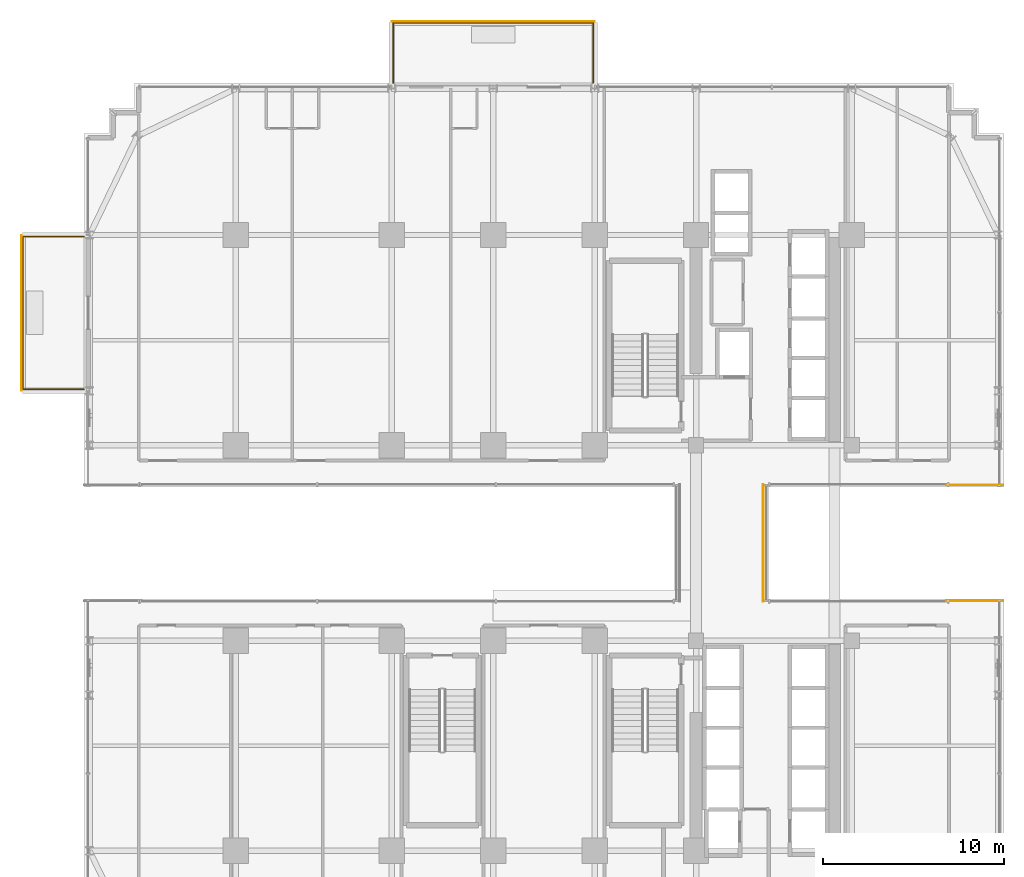
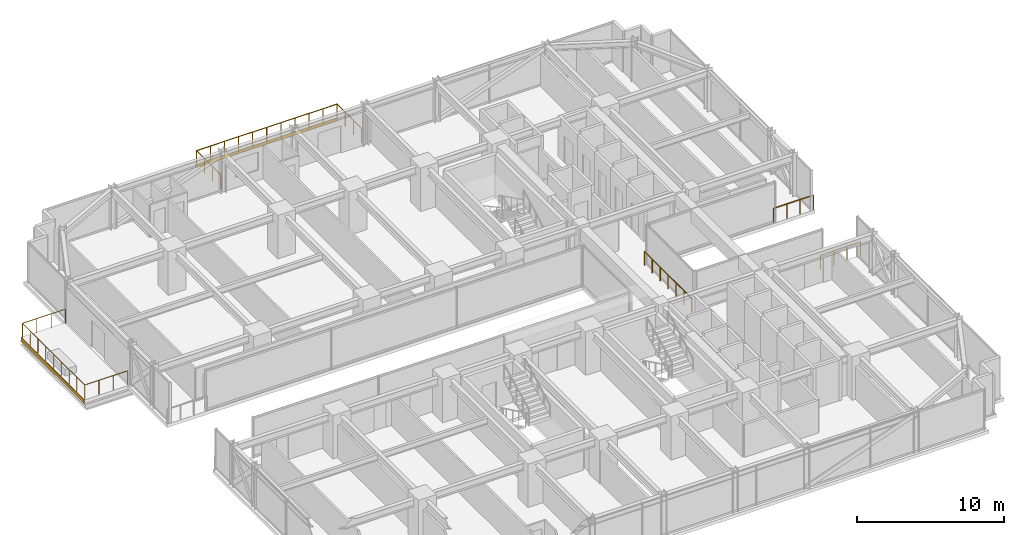
# One storey, part 41 of 43: 5 railings, 2 coverings.
"""IFC4 building model written with IfcOpenShell, lengths in metres."""

from ifc_helpers import new_model, si_unit, direction, frame, origin, origin_2d, place, context, subcontext, project, spatial, rectangle, circle, extrude, source, transform, mapped, material, layer, layer_set, type_object, element, save


model = new_model("IFC4")

# Units and contexts
model_context = context("Model", 3, precision=1e-05, world=origin(), true_north=direction((0.0, 1.0)))
body_context = subcontext(model_context, "Body", "Model", "MODEL_VIEW")
ifc_project = project(units=[si_unit("LENGTHUNIT", "METRE"), si_unit("AREAUNIT", "SQUARE_METRE"), si_unit("VOLUMEUNIT", "CUBIC_METRE"), si_unit("PLANEANGLEUNIT", "RADIAN"), si_unit("MASSUNIT", "GRAM", prefix="KILO")], contexts=[model_context])

# Site, building, storey
site_placement = place(None, origin())
site = spatial("IfcSite", under=ifc_project, at=site_placement, CompositionType="ELEMENT")
building_placement = place(site_placement, origin())
building = spatial("IfcBuilding", under=site, at=building_placement, Name="Nahalor Promenade Grand Hotel", CompositionType="ELEMENT")
storey_placement = place(building_placement, frame((0.0, 0.0, 47.0)))
storey = spatial("IfcBuildingStorey", under=building, at=storey_placement, Name="L10", CompositionType="ELEMENT", Elevation=47.0)

# Railings
ifc_material = material(Name="Anodised Bronze Aluminium EN AW-6063 T6", Category="aluminium")
railing_type_1 = type_object("IfcRailingType", Name="Bronze Balcony Guardrail 1200 mm", PredefinedType="GUARDRAIL", material=ifc_material)
for number, where, name in (
    (1, (22.219970703125, -3.199951171875, 0.0), "L10 Oculus Void Edge Guardrail ES"),
    (2, (22.219970703125, 3.199951171875, 0.0), "L10 Oculus Void Edge Guardrail EN"),
):
    element("IfcRailing", number, at=place(storey_placement, frame(where)), inside=storey, type_object=railing_type_1, Name=name, PredefinedType="GUARDRAIL", context=body_context, shape_type="SweptSolid", body=[
        extrude(circle(Radius=0.024048, at=origin_2d()), frame((0.0, 0.0, 1.17578125), z_axis=(1.0, 0.0, 0.0), x_axis=(0.0, 1.0, 0.0)), (0.0, 0.0, 1.0), 3.1201171875),
        extrude(circle(Radius=0.020996, at=origin_2d()), origin(), (0.0, 0.0, 1.0), 1.14990234375),
        extrude(circle(Radius=0.020996, at=origin_2d()), frame((1.0400390625, 0.0, 0.0)), (0.0, 0.0, 1.0), 1.14990234375),
        extrude(circle(Radius=0.020996, at=origin_2d()), frame((2.080078125, 0.0, 0.0)), (0.0, 0.0, 1.0), 1.14990234375),
        extrude(circle(Radius=0.020996, at=origin_2d()), frame((3.1201171875, 0.0, 0.0)), (0.0, 0.0, 1.0), 1.14990234375),
    ])
railing_1_placement = place(storey_placement, frame((-8.320068359375, 25.39990234375, 0.0)))
element("IfcRailing", 3, at=railing_1_placement, inside=storey, type_object=railing_type_1, Name="L10 Balcony Guardrail 1", PredefinedType="GUARDRAIL", context=body_context, shape_type="SweptSolid", body=[
    extrude(circle(Radius=0.024048, at=origin_2d()), frame((0.0, 0.0, 1.17578125), z_axis=(0.0, 1.0, 0.0), x_axis=(-1.0, 0.0, 0.0)), (0.0, 0.0, 1.0), 3.318115234375),
    extrude(circle(Radius=0.024048, at=origin_2d()), frame((0.001953125, 3.320068359375, 1.17578125), z_axis=(1.0, 0.0, 0.0), x_axis=(0.0, 1.0, 0.0)), (0.0, 0.0, 1.0), 11.0361328125),
    extrude(circle(Radius=0.024048, at=origin_2d()), frame((11.0400390625, 3.318115234375, 1.17578125), z_axis=(0.0, -1.0, 0.0), x_axis=(1.0, 0.0, 0.0)), (0.0, 0.0, 1.0), 3.318115234375),
    extrude(circle(Radius=0.020996, at=origin_2d()), origin(), (0.0, 0.0, 1.0), 1.14990234375),
    extrude(circle(Radius=0.020996, at=origin_2d()), frame((0.0, 1.106689453125, 0.0)), (0.0, 0.0, 1.0), 1.14990234375),
    extrude(circle(Radius=0.020996, at=origin_2d()), frame((0.0, 2.21337890625, 0.0)), (0.0, 0.0, 1.0), 1.14990234375),
    extrude(circle(Radius=0.020996, at=origin_2d()), frame((0.0, 3.320068359375, 0.0)), (0.0, 0.0, 1.0), 1.14990234375),
    extrude(circle(Radius=0.020996, at=origin_2d()), frame((1.10400390625, 3.320068359375, 0.0)), (0.0, 0.0, 1.0), 1.14990234375),
    extrude(circle(Radius=0.020996, at=origin_2d()), frame((2.2080078125, 3.320068359375, 0.0)), (0.0, 0.0, 1.0), 1.14990234375),
    extrude(circle(Radius=0.020996, at=origin_2d()), frame((3.31201171875, 3.320068359375, 0.0)), (0.0, 0.0, 1.0), 1.14990234375),
    extrude(circle(Radius=0.020996, at=origin_2d()), frame((4.416015625, 3.320068359375, 0.0)), (0.0, 0.0, 1.0), 1.14990234375),
    extrude(circle(Radius=0.020996, at=origin_2d()), frame((5.52001953125, 3.320068359375, 0.0)), (0.0, 0.0, 1.0), 1.14990234375),
    extrude(circle(Radius=0.020996, at=origin_2d()), frame((6.6240234375, 3.320068359375, 0.0)), (0.0, 0.0, 1.0), 1.14990234375),
    extrude(circle(Radius=0.020996, at=origin_2d()), frame((7.72802734375, 3.320068359375, 0.0)), (0.0, 0.0, 1.0), 1.14990234375),
    extrude(circle(Radius=0.020996, at=origin_2d()), frame((8.83203125, 3.320068359375, 0.0)), (0.0, 0.0, 1.0), 1.14990234375),
    extrude(circle(Radius=0.020996, at=origin_2d()), frame((9.93603515625, 3.320068359375, 0.0)), (0.0, 0.0, 1.0), 1.14990234375),
    extrude(circle(Radius=0.020996, at=origin_2d()), frame((11.0400390625, 3.320068359375, 0.0)), (0.0, 0.0, 1.0), 1.14990234375),
    extrude(circle(Radius=0.020996, at=origin_2d()), frame((11.0400390625, 2.21337890625, 0.0)), (0.0, 0.0, 1.0), 1.14990234375),
    extrude(circle(Radius=0.020996, at=origin_2d()), frame((11.0400390625, 1.106689453125, 0.0)), (0.0, 0.0, 1.0), 1.14990234375),
    extrude(circle(Radius=0.020996, at=origin_2d()), frame((11.0400390625, 0.0, 0.0)), (0.0, 0.0, 1.0), 1.14990234375),
])
railing_2_placement = place(storey_placement, frame((-25.39990234375, 8.47998046875, 0.0)))
element("IfcRailing", 4, at=railing_2_placement, inside=storey, type_object=railing_type_1, Name="L10 Balcony Guardrail 2", PredefinedType="GUARDRAIL", context=body_context, shape_type="SweptSolid", body=[
    extrude(circle(Radius=0.024048, at=origin_2d()), frame((0.0, 0.0, 1.17578125), z_axis=(-1.0, 0.0, 0.0), x_axis=(0.0, -1.0, 0.0)), (0.0, 0.0, 1.0), 3.3681640625),
    extrude(circle(Radius=0.024048, at=origin_2d()), frame((-3.3701171875, 0.001953125, 1.17578125), z_axis=(0.0, 1.0, 0.0), x_axis=(-1.0, 0.0, 0.0)), (0.0, 0.0, 1.0), 8.43603515625),
    extrude(circle(Radius=0.024048, at=origin_2d()), frame((-3.3681640625, 8.43994140625, 1.17578125), z_axis=(1.0, 0.0, 0.0), x_axis=(0.0, 1.0, 0.0)), (0.0, 0.0, 1.0), 3.3681640625),
    extrude(circle(Radius=0.020996, at=origin_2d()), origin(), (0.0, 0.0, 1.0), 1.14990234375),
    extrude(circle(Radius=0.020996, at=origin_2d()), frame((-1.123291015625, 0.0, 0.0)), (0.0, 0.0, 1.0), 1.14990234375),
    extrude(circle(Radius=0.020996, at=origin_2d()), frame((-2.246826171875, 0.0, 0.0)), (0.0, 0.0, 1.0), 1.14990234375),
    extrude(circle(Radius=0.020996, at=origin_2d()), frame((-3.3701171875, 0.0, 0.0)), (0.0, 0.0, 1.0), 1.14990234375),
    extrude(circle(Radius=0.020996, at=origin_2d()), frame((-3.3701171875, 1.054931640625, 0.0)), (0.0, 0.0, 1.0), 1.14990234375),
    extrude(circle(Radius=0.020996, at=origin_2d()), frame((-3.3701171875, 2.10986328125, 0.0)), (0.0, 0.0, 1.0), 1.14990234375),
    extrude(circle(Radius=0.020996, at=origin_2d()), frame((-3.3701171875, 3.1650390625, 0.0)), (0.0, 0.0, 1.0), 1.14990234375),
    extrude(circle(Radius=0.020996, at=origin_2d()), frame((-3.3701171875, 4.219970703125, 0.0)), (0.0, 0.0, 1.0), 1.14990234375),
    extrude(circle(Radius=0.020996, at=origin_2d()), frame((-3.3701171875, 5.27490234375, 0.0)), (0.0, 0.0, 1.0), 1.14990234375),
    extrude(circle(Radius=0.020996, at=origin_2d()), frame((-3.3701171875, 6.330078125, 0.0)), (0.0, 0.0, 1.0), 1.14990234375),
    extrude(circle(Radius=0.020996, at=origin_2d()), frame((-3.3701171875, 7.385009765625, 0.0)), (0.0, 0.0, 1.0), 1.14990234375),
    extrude(circle(Radius=0.020996, at=origin_2d()), frame((-3.3701171875, 8.43994140625, 0.0)), (0.0, 0.0, 1.0), 1.14990234375),
    extrude(circle(Radius=0.020996, at=origin_2d()), frame((-2.246826171875, 8.43994140625, 0.0)), (0.0, 0.0, 1.0), 1.14990234375),
    extrude(circle(Radius=0.020996, at=origin_2d()), frame((-1.123291015625, 8.43994140625, 0.0)), (0.0, 0.0, 1.0), 1.14990234375),
    extrude(circle(Radius=0.020996, at=origin_2d()), frame((0.0, 8.43994140625, 0.0)), (0.0, 0.0, 1.0), 1.14990234375),
])
railing_type_2 = type_object("IfcRailingType", Name="Bronze Sky Balustrade 1150 mm", PredefinedType="BALUSTRADE", material=ifc_material)
railing_3_placement = place(storey_placement, frame((12.10009765625, -3.219970703125, 0.0)))
element("IfcRailing", 5, at=railing_3_placement, inside=storey, type_object=railing_type_2, Name="BL-L10-BRG-E", PredefinedType="BALUSTRADE", context=body_context, shape_type="SweptSolid", body=[
    extrude(circle(Radius=0.024048, at=origin_2d()), frame((0.0, 0.0, 1.1259765625), z_axis=(0.0, 1.0, 0.0), x_axis=(-1.0, 0.0, 0.0)), (0.0, 0.0, 1.0), 6.43994140625),
    extrude(circle(Radius=0.020996, at=origin_2d()), origin(), (0.0, 0.0, 1.0), 1.099853515625),
    extrude(circle(Radius=0.020996, at=origin_2d()), frame((0.0, 1.0732421875, 0.0)), (0.0, 0.0, 1.0), 1.099853515625),
    extrude(circle(Radius=0.020996, at=origin_2d()), frame((0.0, 2.146728515625, 0.0)), (0.0, 0.0, 1.0), 1.099853515625),
    extrude(circle(Radius=0.020996, at=origin_2d()), frame((0.0, 3.219970703125, 0.0)), (0.0, 0.0, 1.0), 1.099853515625),
    extrude(circle(Radius=0.020996, at=origin_2d()), frame((0.0, 4.293212890625, 0.0)), (0.0, 0.0, 1.0), 1.099853515625),
    extrude(circle(Radius=0.020996, at=origin_2d()), frame((0.0, 5.36669921875, 0.0)), (0.0, 0.0, 1.0), 1.099853515625),
    extrude(circle(Radius=0.020996, at=origin_2d()), frame((0.0, 6.43994140625, 0.0)), (0.0, 0.0, 1.0), 1.099853515625),
])

# Coverings
ifc_layer = layer(ifc_material, 0.0400390625)
ifc_layer_set = layer_set([ifc_layer], Name="Anodised Bronze Aluminium EN AW-6063 T6")
covering_type = type_object("IfcCoveringType", Name="Bronze Spandrel Cladding Panel", PredefinedType="CLADDING", material=ifc_layer_set)
shared_shape_1 = source(origin(), body_context, "Body", "SweptSolid", [
    extrude(rectangle(XDim=11.199951171875, YDim=0.0400390625, at=origin_2d()), origin(), (0.0, 0.0, 1.0), 0.280029296875),
])
covering_1_placement = place(storey_placement, frame((-2.800048828125, 28.780029296875, -0.27978515625), z_axis=(0.0, 0.0, 1.0), x_axis=(1.0, 0.0, 0.0)))
element("IfcCovering", 6, at=covering_1_placement, inside=storey, type_object=covering_type, Name="CL-L10-BALC-01", PredefinedType="CLADDING", context=body_context, shape_type="MappedRepresentation", body=[
    mapped(shared_shape_1, transform((0.0, 0.0, 0.0), scale=1.0)),
])
shared_shape_2 = source(origin(), body_context, "Body", "SweptSolid", [
    extrude(rectangle(XDim=8.60009765625, YDim=0.0400390625, at=origin_2d()), origin(), (0.0, 0.0, 1.0), 0.280029296875),
])
covering_2_placement = place(storey_placement, frame((-28.830078125, 12.699951171875, -0.27978515625), z_axis=(0.0, 0.0, 1.0), x_axis=(0.0, 1.0, 0.0)))
element("IfcCovering", 7, at=covering_2_placement, inside=storey, type_object=covering_type, Name="CL-L10-BALC-02", PredefinedType="CLADDING", context=body_context, shape_type="MappedRepresentation", body=[
    mapped(shared_shape_2, transform((0.0, 0.0, 0.0), scale=1.0)),
])

save(model, "model.ifc")
